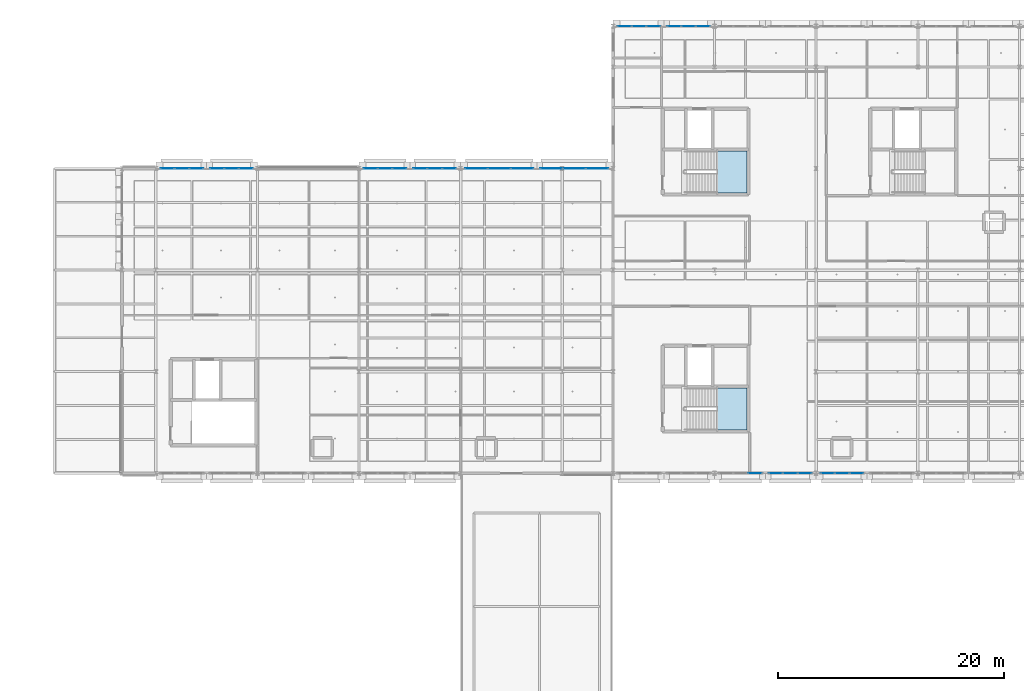
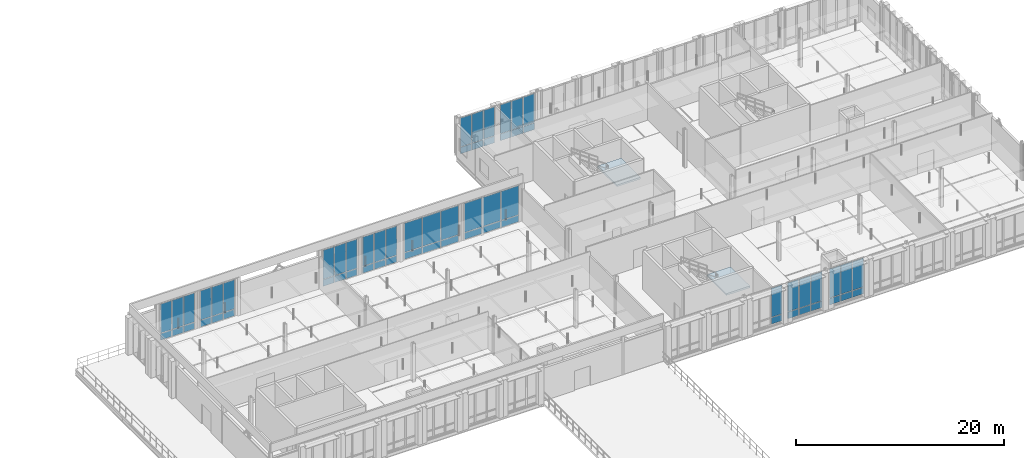
# One storey, part 38 of 89: 62 plates, 2 slabs, 13 elements without a shape of their own.
"""IFC4 building model written with IfcOpenShell, lengths in metres."""

from ifc_helpers import new_model, si_unit, direction, frame, origin, origin_2d, place, context, subcontext, project, spatial, polyline, rectangle, outline, extrude, material, layer, layer_set, type_object, element, aggregate, save


model = new_model("IFC4")

# Units and contexts
model_context = context("Model", 3, precision=1e-05, world=origin(), true_north=direction((0.0, 1.0)))
body_context = subcontext(model_context, "Body", "Model", "MODEL_VIEW")
ifc_project = project(units=[si_unit("LENGTHUNIT", "METRE"), si_unit("AREAUNIT", "SQUARE_METRE"), si_unit("VOLUMEUNIT", "CUBIC_METRE"), si_unit("PLANEANGLEUNIT", "RADIAN"), si_unit("MASSUNIT", "GRAM", prefix="KILO"), si_unit("THERMODYNAMICTEMPERATUREUNIT", "KELVIN"), si_unit("POWERUNIT", "WATT")], contexts=[model_context])

# Site, building, storey
site_placement = place(None, origin())
site = spatial("IfcSite", under=ifc_project, at=site_placement, CompositionType="ELEMENT")
building_placement = place(site_placement, origin())
building = spatial("IfcBuilding", under=site, at=building_placement, Name="Tallowbark Science Centre", CompositionType="ELEMENT")
storey_placement = place(building_placement, frame((0.0, 0.0, 14.39990234375)))
storey = spatial("IfcBuildingStorey", under=building, at=storey_placement, Name="L03", CompositionType="ELEMENT", Elevation=14.39990234375)

# Curtain wall, plates
ifc_material_1 = material(Name="Unitised Thermally Broken Aluminium and Low-E Double Glazing", Category="aluminium")
curtain_wall_type = type_object("IfcCurtainWallType", Name="CW-SYS-FACADE", PredefinedType="NOTDEFINED", material=ifc_material_1)
curtain_wall_1_placement = place(storey_placement, origin())
curtain_wall_1 = element("IfcCurtainWall", 1, at=curtain_wall_1_placement, inside=storey, type_object=curtain_wall_type, Name="Unitised Curtain Wall LAB-N-72B CW-L03-085", PredefinedType="NOTDEFINED")
ifc_material_2 = material(Name="Double Glazed Argon Low-E Vision Glass", Category="glass")
ifc_layer_1 = layer(ifc_material_2, 0.028076171875)
ifc_layer_set_1 = layer_set([ifc_layer_1], Name="Double Glazed Argon Low-E Vision Glass")
plate_type_1 = type_object("IfcPlateType", Name="CWP-GLZ-28", PredefinedType="CURTAIN_PANEL", material=ifc_layer_set_1)
plate_1_placement = place(storey_placement, frame((75.583740234375, 99.0, 0.05517578125), z_axis=(0.0, 0.0, 1.0), x_axis=(-1.0, 0.0, 0.0)))
plate_1 = element("IfcPlate", 2, at=plate_1_placement, type_object=plate_type_1, Name="CW-01 panel 1.1", PredefinedType="CURTAIN_PANEL", context=body_context, shape_type="SweptSolid", body=[
    extrude(rectangle(XDim=1.202392578125, YDim=0.028076171875, at=origin_2d()), origin(), (0.0, 0.0, 1.0), 0.767578125),
])
plate_2_placement = place(storey_placement, frame((75.583740234375, 99.0, 0.87744140625), z_axis=(0.0, 0.0, 1.0), x_axis=(-1.0, 0.0, 0.0)))
plate_2 = element("IfcPlate", 3, at=plate_2_placement, type_object=plate_type_1, Name="CW-01 panel 1.2", PredefinedType="CURTAIN_PANEL", context=body_context, shape_type="SweptSolid", body=[
    extrude(rectangle(XDim=1.202392578125, YDim=0.028076171875, at=origin_2d()), origin(), (0.0, 0.0, 1.0), 3.407470703125),
])
plate_3_placement = place(storey_placement, frame((74.300048828125, 99.0, 0.05517578125), z_axis=(0.0, 0.0, 1.0), x_axis=(-1.0, 0.0, 0.0)))
plate_3 = element("IfcPlate", 4, at=plate_3_placement, type_object=plate_type_1, Name="CW-01 panel 2.1", PredefinedType="CURTAIN_PANEL", context=body_context, shape_type="SweptSolid", body=[
    extrude(rectangle(XDim=1.235107421875, YDim=0.028076171875, at=origin_2d()), origin(), (0.0, 0.0, 1.0), 0.767578125),
])
plate_4_placement = place(storey_placement, frame((74.300048828125, 99.0, 0.87744140625), z_axis=(0.0, 0.0, 1.0), x_axis=(-1.0, 0.0, 0.0)))
plate_4 = element("IfcPlate", 5, at=plate_4_placement, type_object=plate_type_1, Name="CW-01 panel 2.2", PredefinedType="CURTAIN_PANEL", context=body_context, shape_type="SweptSolid", body=[
    extrude(rectangle(XDim=1.235107421875, YDim=0.028076171875, at=origin_2d()), origin(), (0.0, 0.0, 1.0), 3.407470703125),
])
plate_5_placement = place(storey_placement, frame((73.016357421875, 99.0, 0.05517578125), z_axis=(0.0, 0.0, 1.0), x_axis=(-1.0, 0.0, 0.0)))
plate_5 = element("IfcPlate", 6, at=plate_5_placement, type_object=plate_type_1, Name="CW-01 panel 3.1", PredefinedType="CURTAIN_PANEL", context=body_context, shape_type="SweptSolid", body=[
    extrude(rectangle(XDim=1.202392578125, YDim=0.028076171875, at=origin_2d()), origin(), (0.0, 0.0, 1.0), 0.767578125),
])
plate_6_placement = place(storey_placement, frame((73.016357421875, 99.0, 0.87744140625), z_axis=(0.0, 0.0, 1.0), x_axis=(-1.0, 0.0, 0.0)))
plate_6 = element("IfcPlate", 7, at=plate_6_placement, type_object=plate_type_1, Name="CW-01 panel 3.2", PredefinedType="CURTAIN_PANEL", context=body_context, shape_type="SweptSolid", body=[
    extrude(rectangle(XDim=1.202392578125, YDim=0.028076171875, at=origin_2d()), origin(), (0.0, 0.0, 1.0), 3.407470703125),
])
aggregate(curtain_wall_1, [plate_1, plate_2, plate_3, plate_4, plate_5, plate_6])

curtain_wall_2_placement = place(storey_placement, origin())
curtain_wall_2 = element("IfcCurtainWall", 8, at=curtain_wall_2_placement, inside=storey, type_object=curtain_wall_type, Name="Unitised Curtain Wall LAB-N-90A CW-L03-086", PredefinedType="NOTDEFINED")
plate_7_placement = place(storey_placement, frame((97.983642578125, 99.0, 0.05517578125), z_axis=(0.0, 0.0, 1.0), x_axis=(-1.0, 0.0, 0.0)))
plate_7 = element("IfcPlate", 9, at=plate_7_placement, type_object=plate_type_1, Name="CW-01 panel 1.1", PredefinedType="CURTAIN_PANEL", context=body_context, shape_type="SweptSolid", body=[
    extrude(rectangle(XDim=1.202392578125, YDim=0.028076171875, at=origin_2d()), origin(), (0.0, 0.0, 1.0), 0.767578125),
])
plate_8_placement = place(storey_placement, frame((97.983642578125, 99.0, 0.87744140625), z_axis=(0.0, 0.0, 1.0), x_axis=(-1.0, 0.0, 0.0)))
plate_8 = element("IfcPlate", 10, at=plate_8_placement, type_object=plate_type_1, Name="CW-01 panel 1.2", PredefinedType="CURTAIN_PANEL", context=body_context, shape_type="SweptSolid", body=[
    extrude(rectangle(XDim=1.202392578125, YDim=0.028076171875, at=origin_2d()), origin(), (0.0, 0.0, 1.0), 3.407470703125),
])
plate_9_placement = place(storey_placement, frame((96.699951171875, 99.0, 0.05517578125), z_axis=(0.0, 0.0, 1.0), x_axis=(-1.0, 0.0, 0.0)))
plate_9 = element("IfcPlate", 11, at=plate_9_placement, type_object=plate_type_1, Name="CW-01 panel 2.1", PredefinedType="CURTAIN_PANEL", context=body_context, shape_type="SweptSolid", body=[
    extrude(rectangle(XDim=1.235107421875, YDim=0.028076171875, at=origin_2d()), origin(), (0.0, 0.0, 1.0), 0.767578125),
])
plate_10_placement = place(storey_placement, frame((96.699951171875, 99.0, 0.87744140625), z_axis=(0.0, 0.0, 1.0), x_axis=(-1.0, 0.0, 0.0)))
plate_10 = element("IfcPlate", 12, at=plate_10_placement, type_object=plate_type_1, Name="CW-01 panel 2.2", PredefinedType="CURTAIN_PANEL", context=body_context, shape_type="SweptSolid", body=[
    extrude(rectangle(XDim=1.235107421875, YDim=0.028076171875, at=origin_2d()), origin(), (0.0, 0.0, 1.0), 3.407470703125),
])
plate_11_placement = place(storey_placement, frame((95.416259765625, 99.0, 0.05517578125), z_axis=(0.0, 0.0, 1.0), x_axis=(-1.0, 0.0, 0.0)))
plate_11 = element("IfcPlate", 13, at=plate_11_placement, type_object=plate_type_1, Name="CW-01 panel 3.1", PredefinedType="CURTAIN_PANEL", context=body_context, shape_type="SweptSolid", body=[
    extrude(rectangle(XDim=1.202392578125, YDim=0.028076171875, at=origin_2d()), origin(), (0.0, 0.0, 1.0), 0.767578125),
])
plate_12_placement = place(storey_placement, frame((95.416259765625, 99.0, 0.87744140625), z_axis=(0.0, 0.0, 1.0), x_axis=(-1.0, 0.0, 0.0)))
plate_12 = element("IfcPlate", 14, at=plate_12_placement, type_object=plate_type_1, Name="CW-01 panel 3.2", PredefinedType="CURTAIN_PANEL", context=body_context, shape_type="SweptSolid", body=[
    extrude(rectangle(XDim=1.202392578125, YDim=0.028076171875, at=origin_2d()), origin(), (0.0, 0.0, 1.0), 3.407470703125),
])
aggregate(curtain_wall_2, [plate_7, plate_8, plate_9, plate_10, plate_11, plate_12])

curtain_wall_3_placement = place(storey_placement, origin())
curtain_wall_3 = element("IfcCurtainWall", 15, at=curtain_wall_3_placement, inside=storey, type_object=curtain_wall_type, Name="Unitised Curtain Wall LAB-N-99A CW-L03-088", PredefinedType="NOTDEFINED")
plate_13_placement = place(storey_placement, frame((111.108642578125, 99.0, 0.05517578125), z_axis=(0.0, 0.0, 1.0), x_axis=(-1.0, 0.0, 0.0)))
plate_13 = element("IfcPlate", 16, at=plate_13_placement, type_object=plate_type_1, Name="CW-01 panel 1.1", PredefinedType="CURTAIN_PANEL", context=body_context, shape_type="SweptSolid", body=[
    extrude(rectangle(XDim=1.952392578125, YDim=0.028076171875, at=origin_2d()), origin(), (0.0, 0.0, 1.0), 0.767578125),
])
plate_14_placement = place(storey_placement, frame((111.108642578125, 99.0, 0.87744140625), z_axis=(0.0, 0.0, 1.0), x_axis=(-1.0, 0.0, 0.0)))
plate_14 = element("IfcPlate", 17, at=plate_14_placement, type_object=plate_type_1, Name="CW-01 panel 1.2", PredefinedType="CURTAIN_PANEL", context=body_context, shape_type="SweptSolid", body=[
    extrude(rectangle(XDim=1.952392578125, YDim=0.028076171875, at=origin_2d()), origin(), (0.0, 0.0, 1.0), 3.407470703125),
])
plate_15_placement = place(storey_placement, frame((109.074951171875, 99.0, 0.05517578125), z_axis=(0.0, 0.0, 1.0), x_axis=(-1.0, 0.0, 0.0)))
plate_15 = element("IfcPlate", 18, at=plate_15_placement, type_object=plate_type_1, Name="CW-01 panel 2.1", PredefinedType="CURTAIN_PANEL", context=body_context, shape_type="SweptSolid", body=[
    extrude(rectangle(XDim=1.985107421875, YDim=0.028076171875, at=origin_2d()), origin(), (0.0, 0.0, 1.0), 0.767578125),
])
plate_16_placement = place(storey_placement, frame((109.074951171875, 99.0, 0.87744140625), z_axis=(0.0, 0.0, 1.0), x_axis=(-1.0, 0.0, 0.0)))
plate_16 = element("IfcPlate", 19, at=plate_16_placement, type_object=plate_type_1, Name="CW-01 panel 2.2", PredefinedType="CURTAIN_PANEL", context=body_context, shape_type="SweptSolid", body=[
    extrude(rectangle(XDim=1.985107421875, YDim=0.028076171875, at=origin_2d()), origin(), (0.0, 0.0, 1.0), 3.407470703125),
])
plate_17_placement = place(storey_placement, frame((107.041259765625, 99.0, 0.05517578125), z_axis=(0.0, 0.0, 1.0), x_axis=(-1.0, 0.0, 0.0)))
plate_17 = element("IfcPlate", 20, at=plate_17_placement, type_object=plate_type_1, Name="CW-01 panel 3.1", PredefinedType="CURTAIN_PANEL", context=body_context, shape_type="SweptSolid", body=[
    extrude(rectangle(XDim=1.952392578125, YDim=0.028076171875, at=origin_2d()), origin(), (0.0, 0.0, 1.0), 0.767578125),
])
plate_18_placement = place(storey_placement, frame((107.041259765625, 99.0, 0.87744140625), z_axis=(0.0, 0.0, 1.0), x_axis=(-1.0, 0.0, 0.0)))
plate_18 = element("IfcPlate", 21, at=plate_18_placement, type_object=plate_type_1, Name="CW-01 panel 3.2", PredefinedType="CURTAIN_PANEL", context=body_context, shape_type="SweptSolid", body=[
    extrude(rectangle(XDim=1.952392578125, YDim=0.028076171875, at=origin_2d()), origin(), (0.0, 0.0, 1.0), 3.407470703125),
])
aggregate(curtain_wall_3, [plate_13, plate_14, plate_15, plate_16, plate_17, plate_18])

curtain_wall_4_placement = place(storey_placement, origin())
curtain_wall_4 = element("IfcCurtainWall", 22, at=curtain_wall_4_placement, inside=storey, type_object=curtain_wall_type, Name="Unitised Curtain Wall LAB-N-99B CW-L03-089", PredefinedType="NOTDEFINED")
plate_19_placement = place(storey_placement, frame((104.458740234375, 99.0, 0.05517578125), z_axis=(0.0, 0.0, 1.0), x_axis=(-1.0, 0.0, 0.0)))
plate_19 = element("IfcPlate", 23, at=plate_19_placement, type_object=plate_type_1, Name="CW-01 panel 1.1", PredefinedType="CURTAIN_PANEL", context=body_context, shape_type="SweptSolid", body=[
    extrude(rectangle(XDim=1.952392578125, YDim=0.028076171875, at=origin_2d()), origin(), (0.0, 0.0, 1.0), 0.767578125),
])
plate_20_placement = place(storey_placement, frame((104.458740234375, 99.0, 0.87744140625), z_axis=(0.0, 0.0, 1.0), x_axis=(-1.0, 0.0, 0.0)))
plate_20 = element("IfcPlate", 24, at=plate_20_placement, type_object=plate_type_1, Name="CW-01 panel 1.2", PredefinedType="CURTAIN_PANEL", context=body_context, shape_type="SweptSolid", body=[
    extrude(rectangle(XDim=1.952392578125, YDim=0.028076171875, at=origin_2d()), origin(), (0.0, 0.0, 1.0), 3.407470703125),
])
plate_21_placement = place(storey_placement, frame((102.425048828125, 99.0, 0.05517578125), z_axis=(0.0, 0.0, 1.0), x_axis=(-1.0, 0.0, 0.0)))
plate_21 = element("IfcPlate", 25, at=plate_21_placement, type_object=plate_type_1, Name="CW-01 panel 2.1", PredefinedType="CURTAIN_PANEL", context=body_context, shape_type="SweptSolid", body=[
    extrude(rectangle(XDim=1.985107421875, YDim=0.028076171875, at=origin_2d()), origin(), (0.0, 0.0, 1.0), 0.767578125),
])
plate_22_placement = place(storey_placement, frame((102.425048828125, 99.0, 0.87744140625), z_axis=(0.0, 0.0, 1.0), x_axis=(-1.0, 0.0, 0.0)))
plate_22 = element("IfcPlate", 26, at=plate_22_placement, type_object=plate_type_1, Name="CW-01 panel 2.2", PredefinedType="CURTAIN_PANEL", context=body_context, shape_type="SweptSolid", body=[
    extrude(rectangle(XDim=1.985107421875, YDim=0.028076171875, at=origin_2d()), origin(), (0.0, 0.0, 1.0), 3.407470703125),
])
plate_23_placement = place(storey_placement, frame((100.391357421875, 99.0, 0.05517578125), z_axis=(0.0, 0.0, 1.0), x_axis=(-1.0, 0.0, 0.0)))
plate_23 = element("IfcPlate", 27, at=plate_23_placement, type_object=plate_type_1, Name="CW-01 panel 3.1", PredefinedType="CURTAIN_PANEL", context=body_context, shape_type="SweptSolid", body=[
    extrude(rectangle(XDim=1.952392578125, YDim=0.028076171875, at=origin_2d()), origin(), (0.0, 0.0, 1.0), 0.767578125),
])
plate_24_placement = place(storey_placement, frame((100.391357421875, 99.0, 0.87744140625), z_axis=(0.0, 0.0, 1.0), x_axis=(-1.0, 0.0, 0.0)))
plate_24 = element("IfcPlate", 28, at=plate_24_placement, type_object=plate_type_1, Name="CW-01 panel 3.2", PredefinedType="CURTAIN_PANEL", context=body_context, shape_type="SweptSolid", body=[
    extrude(rectangle(XDim=1.952392578125, YDim=0.028076171875, at=origin_2d()), origin(), (0.0, 0.0, 1.0), 3.407470703125),
])
aggregate(curtain_wall_4, [plate_19, plate_20, plate_21, plate_22, plate_23, plate_24])

curtain_wall_5_placement = place(storey_placement, origin())
curtain_wall_5 = element("IfcCurtainWall", 29, at=curtain_wall_5_placement, inside=storey, type_object=curtain_wall_type, Name="Unitised Curtain Wall OBS-N-112A CW-L03-166", PredefinedType="NOTDEFINED")
plate_25_placement = place(storey_placement, frame((120.483642578125, 111.60009765625, 0.05517578125), z_axis=(0.0, 0.0, 1.0), x_axis=(-1.0, 0.0, 0.0)))
plate_25 = element("IfcPlate", 30, at=plate_25_placement, type_object=plate_type_1, Name="CW-01 panel 1.1", PredefinedType="CURTAIN_PANEL", context=body_context, shape_type="SweptSolid", body=[
    extrude(rectangle(XDim=1.202392578125, YDim=0.028076171875, at=origin_2d()), origin(), (0.0, 0.0, 1.0), 0.767578125),
])
plate_26_placement = place(storey_placement, frame((120.483642578125, 111.60009765625, 0.87744140625), z_axis=(0.0, 0.0, 1.0), x_axis=(-1.0, 0.0, 0.0)))
plate_26 = element("IfcPlate", 31, at=plate_26_placement, type_object=plate_type_1, Name="CW-01 panel 1.2", PredefinedType="CURTAIN_PANEL", context=body_context, shape_type="SweptSolid", body=[
    extrude(rectangle(XDim=1.202392578125, YDim=0.028076171875, at=origin_2d()), origin(), (0.0, 0.0, 1.0), 3.387451171875),
])
plate_27_placement = place(storey_placement, frame((119.199951171875, 111.60009765625, 0.05517578125), z_axis=(0.0, 0.0, 1.0), x_axis=(-1.0, 0.0, 0.0)))
plate_27 = element("IfcPlate", 32, at=plate_27_placement, type_object=plate_type_1, Name="CW-01 panel 2.1", PredefinedType="CURTAIN_PANEL", context=body_context, shape_type="SweptSolid", body=[
    extrude(rectangle(XDim=1.235107421875, YDim=0.028076171875, at=origin_2d()), origin(), (0.0, 0.0, 1.0), 0.767578125),
])
plate_28_placement = place(storey_placement, frame((119.199951171875, 111.60009765625, 0.87744140625), z_axis=(0.0, 0.0, 1.0), x_axis=(-1.0, 0.0, 0.0)))
plate_28 = element("IfcPlate", 33, at=plate_28_placement, type_object=plate_type_1, Name="CW-01 panel 2.2", PredefinedType="CURTAIN_PANEL", context=body_context, shape_type="SweptSolid", body=[
    extrude(rectangle(XDim=1.235107421875, YDim=0.028076171875, at=origin_2d()), origin(), (0.0, 0.0, 1.0), 3.387451171875),
])
plate_29_placement = place(storey_placement, frame((117.916259765625, 111.60009765625, 0.05517578125), z_axis=(0.0, 0.0, 1.0), x_axis=(-1.0, 0.0, 0.0)))
plate_29 = element("IfcPlate", 34, at=plate_29_placement, type_object=plate_type_1, Name="CW-01 panel 3.1", PredefinedType="CURTAIN_PANEL", context=body_context, shape_type="SweptSolid", body=[
    extrude(rectangle(XDim=1.202392578125, YDim=0.028076171875, at=origin_2d()), origin(), (0.0, 0.0, 1.0), 0.767578125),
])
plate_30_placement = place(storey_placement, frame((117.916259765625, 111.60009765625, 0.87744140625), z_axis=(0.0, 0.0, 1.0), x_axis=(-1.0, 0.0, 0.0)))
plate_30 = element("IfcPlate", 35, at=plate_30_placement, type_object=plate_type_1, Name="CW-01 panel 3.2", PredefinedType="CURTAIN_PANEL", context=body_context, shape_type="SweptSolid", body=[
    extrude(rectangle(XDim=1.202392578125, YDim=0.028076171875, at=origin_2d()), origin(), (0.0, 0.0, 1.0), 3.387451171875),
])
aggregate(curtain_wall_5, [plate_25, plate_26, plate_27, plate_28, plate_29, plate_30])

curtain_wall_6_placement = place(storey_placement, origin())
curtain_wall_6 = element("IfcCurtainWall", 36, at=curtain_wall_6_placement, inside=storey, type_object=curtain_wall_type, Name="Unitised Curtain Wall OBS-N-112B CW-L03-167", PredefinedType="NOTDEFINED")
plate_31_placement = place(storey_placement, frame((116.083740234375, 111.60009765625, 0.05517578125), z_axis=(0.0, 0.0, 1.0), x_axis=(-1.0, 0.0, 0.0)))
plate_31 = element("IfcPlate", 37, at=plate_31_placement, type_object=plate_type_1, Name="CW-01 panel 1.1", PredefinedType="CURTAIN_PANEL", context=body_context, shape_type="SweptSolid", body=[
    extrude(rectangle(XDim=1.202392578125, YDim=0.028076171875, at=origin_2d()), origin(), (0.0, 0.0, 1.0), 0.767578125),
])
plate_32_placement = place(storey_placement, frame((116.083740234375, 111.60009765625, 0.87744140625), z_axis=(0.0, 0.0, 1.0), x_axis=(-1.0, 0.0, 0.0)))
plate_32 = element("IfcPlate", 38, at=plate_32_placement, type_object=plate_type_1, Name="CW-01 panel 1.2", PredefinedType="CURTAIN_PANEL", context=body_context, shape_type="SweptSolid", body=[
    extrude(rectangle(XDim=1.202392578125, YDim=0.028076171875, at=origin_2d()), origin(), (0.0, 0.0, 1.0), 3.387451171875),
])
plate_33_placement = place(storey_placement, frame((114.800048828125, 111.60009765625, 0.05517578125), z_axis=(0.0, 0.0, 1.0), x_axis=(-1.0, 0.0, 0.0)))
plate_33 = element("IfcPlate", 39, at=plate_33_placement, type_object=plate_type_1, Name="CW-01 panel 2.1", PredefinedType="CURTAIN_PANEL", context=body_context, shape_type="SweptSolid", body=[
    extrude(rectangle(XDim=1.235107421875, YDim=0.028076171875, at=origin_2d()), origin(), (0.0, 0.0, 1.0), 0.767578125),
])
plate_34_placement = place(storey_placement, frame((114.800048828125, 111.60009765625, 0.87744140625), z_axis=(0.0, 0.0, 1.0), x_axis=(-1.0, 0.0, 0.0)))
plate_34 = element("IfcPlate", 40, at=plate_34_placement, type_object=plate_type_1, Name="CW-01 panel 2.2", PredefinedType="CURTAIN_PANEL", context=body_context, shape_type="SweptSolid", body=[
    extrude(rectangle(XDim=1.235107421875, YDim=0.028076171875, at=origin_2d()), origin(), (0.0, 0.0, 1.0), 3.387451171875),
])
plate_35_placement = place(storey_placement, frame((113.516357421875, 111.60009765625, 0.05517578125), z_axis=(0.0, 0.0, 1.0), x_axis=(-1.0, 0.0, 0.0)))
plate_35 = element("IfcPlate", 41, at=plate_35_placement, type_object=plate_type_1, Name="CW-01 panel 3.1", PredefinedType="CURTAIN_PANEL", context=body_context, shape_type="SweptSolid", body=[
    extrude(rectangle(XDim=1.202392578125, YDim=0.028076171875, at=origin_2d()), origin(), (0.0, 0.0, 1.0), 0.767578125),
])
plate_36_placement = place(storey_placement, frame((113.516357421875, 111.60009765625, 0.87744140625), z_axis=(0.0, 0.0, 1.0), x_axis=(-1.0, 0.0, 0.0)))
plate_36 = element("IfcPlate", 42, at=plate_36_placement, type_object=plate_type_1, Name="CW-01 panel 3.2", PredefinedType="CURTAIN_PANEL", context=body_context, shape_type="SweptSolid", body=[
    extrude(rectangle(XDim=1.202392578125, YDim=0.028076171875, at=origin_2d()), origin(), (0.0, 0.0, 1.0), 3.387451171875),
])
aggregate(curtain_wall_6, [plate_31, plate_32, plate_33, plate_34, plate_35, plate_36])

curtain_wall_7_placement = place(storey_placement, origin())
curtain_wall_7 = element("IfcCurtainWall", 43, at=curtain_wall_7_placement, inside=storey, type_object=curtain_wall_type, Name="Unitised Curtain Wall OBS-S-121B CW-L03-169", PredefinedType="NOTDEFINED")
plate_37_placement = place(storey_placement, frame((126.916259765625, 72.0, 0.05517578125), z_axis=(0.0, 0.0, 1.0), x_axis=(1.0, 0.0, 0.0)))
plate_37 = element("IfcPlate", 44, at=plate_37_placement, type_object=plate_type_1, Name="CW-01 panel 1.1", PredefinedType="CURTAIN_PANEL", context=body_context, shape_type="SweptSolid", body=[
    extrude(rectangle(XDim=1.202392578125, YDim=0.028076171875, at=origin_2d()), origin(), (0.0, 0.0, 1.0), 0.767578125),
])
plate_38_placement = place(storey_placement, frame((126.916259765625, 72.0, 0.87744140625), z_axis=(0.0, 0.0, 1.0), x_axis=(1.0, 0.0, 0.0)))
plate_38 = element("IfcPlate", 45, at=plate_38_placement, type_object=plate_type_1, Name="CW-01 panel 1.2", PredefinedType="CURTAIN_PANEL", context=body_context, shape_type="SweptSolid", body=[
    extrude(rectangle(XDim=1.202392578125, YDim=0.028076171875, at=origin_2d()), origin(), (0.0, 0.0, 1.0), 3.387451171875),
])
plate_39_placement = place(storey_placement, frame((128.199951171875, 72.0, 0.05517578125), z_axis=(0.0, 0.0, 1.0), x_axis=(1.0, 0.0, 0.0)))
plate_39 = element("IfcPlate", 46, at=plate_39_placement, type_object=plate_type_1, Name="CW-01 panel 2.1", PredefinedType="CURTAIN_PANEL", context=body_context, shape_type="SweptSolid", body=[
    extrude(rectangle(XDim=1.235107421875, YDim=0.028076171875, at=origin_2d()), origin(), (0.0, 0.0, 1.0), 0.767578125),
])
plate_40_placement = place(storey_placement, frame((128.199951171875, 72.0, 0.87744140625), z_axis=(0.0, 0.0, 1.0), x_axis=(1.0, 0.0, 0.0)))
plate_40 = element("IfcPlate", 47, at=plate_40_placement, type_object=plate_type_1, Name="CW-01 panel 2.2", PredefinedType="CURTAIN_PANEL", context=body_context, shape_type="SweptSolid", body=[
    extrude(rectangle(XDim=1.235107421875, YDim=0.028076171875, at=origin_2d()), origin(), (0.0, 0.0, 1.0), 3.387451171875),
])
plate_41_placement = place(storey_placement, frame((129.483642578125, 72.0, 0.05517578125), z_axis=(0.0, 0.0, 1.0), x_axis=(1.0, 0.0, 0.0)))
plate_41 = element("IfcPlate", 48, at=plate_41_placement, type_object=plate_type_1, Name="CW-01 panel 3.1", PredefinedType="CURTAIN_PANEL", context=body_context, shape_type="SweptSolid", body=[
    extrude(rectangle(XDim=1.202392578125, YDim=0.028076171875, at=origin_2d()), origin(), (0.0, 0.0, 1.0), 0.767578125),
])
plate_42_placement = place(storey_placement, frame((129.483642578125, 72.0, 0.87744140625), z_axis=(0.0, 0.0, 1.0), x_axis=(1.0, 0.0, 0.0)))
plate_42 = element("IfcPlate", 49, at=plate_42_placement, type_object=plate_type_1, Name="CW-01 panel 3.2", PredefinedType="CURTAIN_PANEL", context=body_context, shape_type="SweptSolid", body=[
    extrude(rectangle(XDim=1.202392578125, YDim=0.028076171875, at=origin_2d()), origin(), (0.0, 0.0, 1.0), 3.387451171875),
])
aggregate(curtain_wall_7, [plate_37, plate_38, plate_39, plate_40, plate_41, plate_42])

curtain_wall_8_placement = place(storey_placement, origin())
curtain_wall_8 = element("IfcCurtainWall", 50, at=curtain_wall_8_placement, inside=storey, type_object=curtain_wall_type, Name="Unitised Curtain Wall OBS-S-130A CW-L03-172", PredefinedType="NOTDEFINED")
plate_43_placement = place(storey_placement, frame((131.516357421875, 72.0, 0.05517578125), z_axis=(0.0, 0.0, 1.0), x_axis=(1.0, 0.0, 0.0)))
plate_43 = element("IfcPlate", 51, at=plate_43_placement, type_object=plate_type_1, Name="CW-01 panel 1.1", PredefinedType="CURTAIN_PANEL", context=body_context, shape_type="SweptSolid", body=[
    extrude(rectangle(XDim=1.202392578125, YDim=0.028076171875, at=origin_2d()), origin(), (0.0, 0.0, 1.0), 0.767578125),
])
plate_44_placement = place(storey_placement, frame((131.516357421875, 72.0, 0.87744140625), z_axis=(0.0, 0.0, 1.0), x_axis=(1.0, 0.0, 0.0)))
plate_44 = element("IfcPlate", 52, at=plate_44_placement, type_object=plate_type_1, Name="CW-01 panel 1.2", PredefinedType="CURTAIN_PANEL", context=body_context, shape_type="SweptSolid", body=[
    extrude(rectangle(XDim=1.202392578125, YDim=0.028076171875, at=origin_2d()), origin(), (0.0, 0.0, 1.0), 3.387451171875),
])
plate_45_placement = place(storey_placement, frame((132.800048828125, 72.0, 0.05517578125), z_axis=(0.0, 0.0, 1.0), x_axis=(1.0, 0.0, 0.0)))
plate_45 = element("IfcPlate", 53, at=plate_45_placement, type_object=plate_type_1, Name="CW-01 panel 2.1", PredefinedType="CURTAIN_PANEL", context=body_context, shape_type="SweptSolid", body=[
    extrude(rectangle(XDim=1.235107421875, YDim=0.028076171875, at=origin_2d()), origin(), (0.0, 0.0, 1.0), 0.767578125),
])
plate_46_placement = place(storey_placement, frame((132.800048828125, 72.0, 0.87744140625), z_axis=(0.0, 0.0, 1.0), x_axis=(1.0, 0.0, 0.0)))
plate_46 = element("IfcPlate", 54, at=plate_46_placement, type_object=plate_type_1, Name="CW-01 panel 2.2", PredefinedType="CURTAIN_PANEL", context=body_context, shape_type="SweptSolid", body=[
    extrude(rectangle(XDim=1.235107421875, YDim=0.028076171875, at=origin_2d()), origin(), (0.0, 0.0, 1.0), 3.387451171875),
])
plate_47_placement = place(storey_placement, frame((134.083740234375, 72.0, 0.05517578125), z_axis=(0.0, 0.0, 1.0), x_axis=(1.0, 0.0, 0.0)))
plate_47 = element("IfcPlate", 55, at=plate_47_placement, type_object=plate_type_1, Name="CW-01 panel 3.1", PredefinedType="CURTAIN_PANEL", context=body_context, shape_type="SweptSolid", body=[
    extrude(rectangle(XDim=1.202392578125, YDim=0.028076171875, at=origin_2d()), origin(), (0.0, 0.0, 1.0), 0.767578125),
])
plate_48_placement = place(storey_placement, frame((134.083740234375, 72.0, 0.87744140625), z_axis=(0.0, 0.0, 1.0), x_axis=(1.0, 0.0, 0.0)))
plate_48 = element("IfcPlate", 56, at=plate_48_placement, type_object=plate_type_1, Name="CW-01 panel 3.2", PredefinedType="CURTAIN_PANEL", context=body_context, shape_type="SweptSolid", body=[
    extrude(rectangle(XDim=1.202392578125, YDim=0.028076171875, at=origin_2d()), origin(), (0.0, 0.0, 1.0), 3.387451171875),
])
aggregate(curtain_wall_8, [plate_43, plate_44, plate_45, plate_46, plate_47, plate_48])

curtain_wall_9_placement = place(storey_placement, origin())
curtain_wall_9 = element("IfcCurtainWall", 57, at=curtain_wall_9_placement, inside=storey, type_object=curtain_wall_type, Name="Unitised Curtain Wall LAB-N-72A CW-L03-084", PredefinedType="NOTDEFINED")
ifc_material_3 = material(Name="Ceramic-Fritted Insulated Glass Spandrel Panel", Category="glass")
ifc_layer_2 = layer(ifc_material_3, 0.031982421875)
ifc_layer_set_2 = layer_set([ifc_layer_2], Name="Ceramic-Fritted Insulated Glass Spandrel Panel")
plate_type_2 = type_object("IfcPlateType", Name="CWP-SPN-32", PredefinedType="CURTAIN_PANEL", material=ifc_layer_set_2)
plate_49_placement = place(storey_placement, frame((79.983642578125, 99.0, 0.05517578125), z_axis=(0.0, 0.0, 1.0), x_axis=(-1.0, 0.0, 0.0)))
plate_49 = element("IfcPlate", 58, at=plate_49_placement, type_object=plate_type_2, Name="CW-01 panel 1.1", PredefinedType="CURTAIN_PANEL", context=body_context, shape_type="SweptSolid", body=[
    extrude(rectangle(XDim=1.202392578125, YDim=0.031982421875, at=origin_2d()), origin(), (0.0, 0.0, 1.0), 0.767578125),
])
plate_50_placement = place(storey_placement, frame((79.983642578125, 99.0, 0.87744140625), z_axis=(0.0, 0.0, 1.0), x_axis=(-1.0, 0.0, 0.0)))
plate_50 = element("IfcPlate", 59, at=plate_50_placement, type_object=plate_type_2, Name="CW-01 panel 1.2", PredefinedType="CURTAIN_PANEL", context=body_context, shape_type="SweptSolid", body=[
    extrude(rectangle(XDim=1.202392578125, YDim=0.031982421875, at=origin_2d()), origin(), (0.0, 0.0, 1.0), 3.407470703125),
])
plate_51_placement = place(storey_placement, frame((78.699951171875, 99.0, 0.05517578125), z_axis=(0.0, 0.0, 1.0), x_axis=(-1.0, 0.0, 0.0)))
plate_51 = element("IfcPlate", 60, at=plate_51_placement, type_object=plate_type_2, Name="CW-01 panel 2.1", PredefinedType="CURTAIN_PANEL", context=body_context, shape_type="SweptSolid", body=[
    extrude(rectangle(XDim=1.235107421875, YDim=0.031982421875, at=origin_2d()), origin(), (0.0, 0.0, 1.0), 0.767578125),
])
plate_52_placement = place(storey_placement, frame((78.699951171875, 99.0, 0.87744140625), z_axis=(0.0, 0.0, 1.0), x_axis=(-1.0, 0.0, 0.0)))
plate_52 = element("IfcPlate", 61, at=plate_52_placement, type_object=plate_type_2, Name="CW-01 panel 2.2", PredefinedType="CURTAIN_PANEL", context=body_context, shape_type="SweptSolid", body=[
    extrude(rectangle(XDim=1.235107421875, YDim=0.031982421875, at=origin_2d()), origin(), (0.0, 0.0, 1.0), 3.407470703125),
])
plate_53_placement = place(storey_placement, frame((77.416259765625, 99.0, 0.05517578125), z_axis=(0.0, 0.0, 1.0), x_axis=(-1.0, 0.0, 0.0)))
plate_53 = element("IfcPlate", 62, at=plate_53_placement, type_object=plate_type_2, Name="CW-01 panel 3.1", PredefinedType="CURTAIN_PANEL", context=body_context, shape_type="SweptSolid", body=[
    extrude(rectangle(XDim=1.202392578125, YDim=0.031982421875, at=origin_2d()), origin(), (0.0, 0.0, 1.0), 0.767578125),
])
plate_54_placement = place(storey_placement, frame((77.416259765625, 99.0, 0.87744140625), z_axis=(0.0, 0.0, 1.0), x_axis=(-1.0, 0.0, 0.0)))
plate_54 = element("IfcPlate", 63, at=plate_54_placement, type_object=plate_type_2, Name="CW-01 panel 3.2", PredefinedType="CURTAIN_PANEL", context=body_context, shape_type="SweptSolid", body=[
    extrude(rectangle(XDim=1.202392578125, YDim=0.031982421875, at=origin_2d()), origin(), (0.0, 0.0, 1.0), 3.407470703125),
])
aggregate(curtain_wall_9, [plate_49, plate_50, plate_51, plate_52, plate_53, plate_54])

curtain_wall_10_placement = place(storey_placement, origin())
curtain_wall_10 = element("IfcCurtainWall", 64, at=curtain_wall_10_placement, inside=storey, type_object=curtain_wall_type, Name="Unitised Curtain Wall LAB-N-90B CW-L03-087", PredefinedType="NOTDEFINED")
plate_55_placement = place(storey_placement, frame((93.583740234375, 99.0, 0.05517578125), z_axis=(0.0, 0.0, 1.0), x_axis=(-1.0, 0.0, 0.0)))
plate_55 = element("IfcPlate", 65, at=plate_55_placement, type_object=plate_type_2, Name="CW-01 panel 1.1", PredefinedType="CURTAIN_PANEL", context=body_context, shape_type="SweptSolid", body=[
    extrude(rectangle(XDim=1.202392578125, YDim=0.031982421875, at=origin_2d()), origin(), (0.0, 0.0, 1.0), 0.767578125),
])
plate_56_placement = place(storey_placement, frame((93.583740234375, 99.0, 0.87744140625), z_axis=(0.0, 0.0, 1.0), x_axis=(-1.0, 0.0, 0.0)))
plate_56 = element("IfcPlate", 66, at=plate_56_placement, type_object=plate_type_2, Name="CW-01 panel 1.2", PredefinedType="CURTAIN_PANEL", context=body_context, shape_type="SweptSolid", body=[
    extrude(rectangle(XDim=1.202392578125, YDim=0.031982421875, at=origin_2d()), origin(), (0.0, 0.0, 1.0), 3.407470703125),
])
plate_57_placement = place(storey_placement, frame((92.300048828125, 99.0, 0.05517578125), z_axis=(0.0, 0.0, 1.0), x_axis=(-1.0, 0.0, 0.0)))
plate_57 = element("IfcPlate", 67, at=plate_57_placement, type_object=plate_type_2, Name="CW-01 panel 2.1", PredefinedType="CURTAIN_PANEL", context=body_context, shape_type="SweptSolid", body=[
    extrude(rectangle(XDim=1.235107421875, YDim=0.031982421875, at=origin_2d()), origin(), (0.0, 0.0, 1.0), 0.767578125),
])
plate_58_placement = place(storey_placement, frame((92.300048828125, 99.0, 0.87744140625), z_axis=(0.0, 0.0, 1.0), x_axis=(-1.0, 0.0, 0.0)))
plate_58 = element("IfcPlate", 68, at=plate_58_placement, type_object=plate_type_2, Name="CW-01 panel 2.2", PredefinedType="CURTAIN_PANEL", context=body_context, shape_type="SweptSolid", body=[
    extrude(rectangle(XDim=1.235107421875, YDim=0.031982421875, at=origin_2d()), origin(), (0.0, 0.0, 1.0), 3.407470703125),
])
plate_59_placement = place(storey_placement, frame((91.016357421875, 99.0, 0.05517578125), z_axis=(0.0, 0.0, 1.0), x_axis=(-1.0, 0.0, 0.0)))
plate_59 = element("IfcPlate", 69, at=plate_59_placement, type_object=plate_type_2, Name="CW-01 panel 3.1", PredefinedType="CURTAIN_PANEL", context=body_context, shape_type="SweptSolid", body=[
    extrude(rectangle(XDim=1.202392578125, YDim=0.031982421875, at=origin_2d()), origin(), (0.0, 0.0, 1.0), 0.767578125),
])
plate_60_placement = place(storey_placement, frame((91.016357421875, 99.0, 0.87744140625), z_axis=(0.0, 0.0, 1.0), x_axis=(-1.0, 0.0, 0.0)))
plate_60 = element("IfcPlate", 70, at=plate_60_placement, type_object=plate_type_2, Name="CW-01 panel 3.2", PredefinedType="CURTAIN_PANEL", context=body_context, shape_type="SweptSolid", body=[
    extrude(rectangle(XDim=1.202392578125, YDim=0.031982421875, at=origin_2d()), origin(), (0.0, 0.0, 1.0), 3.407470703125),
])
aggregate(curtain_wall_10, [plate_55, plate_56, plate_57, plate_58, plate_59, plate_60])

curtain_wall_11_placement = place(storey_placement, origin())
curtain_wall_11 = element("IfcCurtainWall", 71, at=curtain_wall_11_placement, inside=storey, type_object=curtain_wall_type, Name="Unitised Curtain Wall OBS-S-121A CW-L03-168", PredefinedType="NOTDEFINED")
plate_61_placement = place(storey_placement, frame((125.083740234375, 72.0, 0.05517578125), z_axis=(0.0, 0.0, 1.0), x_axis=(1.0, 0.0, 0.0)))
plate_61 = element("IfcPlate", 72, at=plate_61_placement, type_object=plate_type_2, Name="CW-01 panel 3.1", PredefinedType="CURTAIN_PANEL", context=body_context, shape_type="SweptSolid", body=[
    extrude(rectangle(XDim=1.202392578125, YDim=0.031982421875, at=origin_2d()), origin(), (0.0, 0.0, 1.0), 0.767578125),
])
plate_62_placement = place(storey_placement, frame((125.083740234375, 72.0, 0.87744140625), z_axis=(0.0, 0.0, 1.0), x_axis=(1.0, 0.0, 0.0)))
plate_62 = element("IfcPlate", 73, at=plate_62_placement, type_object=plate_type_2, Name="CW-01 panel 3.2", PredefinedType="CURTAIN_PANEL", context=body_context, shape_type="SweptSolid", body=[
    extrude(rectangle(XDim=1.202392578125, YDim=0.031982421875, at=origin_2d()), origin(), (0.0, 0.0, 1.0), 3.387451171875),
])
aggregate(curtain_wall_11, [plate_61, plate_62])

# Stair, slab
ifc_material_4 = material(Name="Concrete Grade N40 (40 MPa)", Category="concrete")
stair_type_1 = type_object("IfcStairType", Name="STR-C2", PredefinedType="HALF_TURN_STAIR", material=ifc_material_4)
stair_1_placement = place(storey_placement, origin())
stair_1 = element("IfcStair", 74, at=stair_1_placement, inside=storey, type_object=stair_type_1, Name="L03 Fire Stair ST-02", PredefinedType="HALF_TURN_STAIR")
ifc_layer_3 = layer(ifc_material_4, 0.199951171875)
ifc_layer_set_3 = layer_set([ifc_layer_3], Name="Concrete Grade N40 (40 MPa)")
slab_type = type_object("IfcSlabType", Name="SLB-LND-200", PredefinedType="LANDING", material=ifc_layer_set_3)
slab_1_placement = place(storey_placement, frame((0.0, 0.0, 2.050048828125)))
slab_1 = element("IfcSlab", 75, at=slab_1_placement, type_object=slab_type, Name="ST-02 landing 1", PredefinedType="LANDING", context=body_context, shape_type="SweptSolid", body=[
    extrude(outline(polyline([(121.72509765625, 75.85009765625), (124.35009765625, 75.85009765625), (124.35009765625, 79.570068359375), (121.72509765625, 79.570068359375), (121.72509765625, 75.85009765625)])), origin(), (0.0, 0.0, 1.0), 0.199951171875),
])
aggregate(stair_1, [slab_1])

stair_type_2 = type_object("IfcStairType", Name="STR-C5", PredefinedType="HALF_TURN_STAIR", material=ifc_material_4)
stair_2_placement = place(storey_placement, origin())
stair_2 = element("IfcStair", 76, at=stair_2_placement, inside=storey, type_object=stair_type_2, Name="L03 Fire Stair ST-05", PredefinedType="HALF_TURN_STAIR")
slab_2_placement = place(storey_placement, frame((0.0, 0.0, 2.050048828125)))
slab_2 = element("IfcSlab", 77, at=slab_2_placement, type_object=slab_type, Name="ST-05 landing 1", PredefinedType="LANDING", context=body_context, shape_type="SweptSolid", body=[
    extrude(outline(polyline([(121.72509765625, 96.85009765625), (124.35009765625, 96.85009765625), (124.35009765625, 100.570068359375), (121.72509765625, 100.570068359375), (121.72509765625, 96.85009765625)])), origin(), (0.0, 0.0, 1.0), 0.199951171875),
])
aggregate(stair_2, [slab_2])

save(model, "model.ifc")
